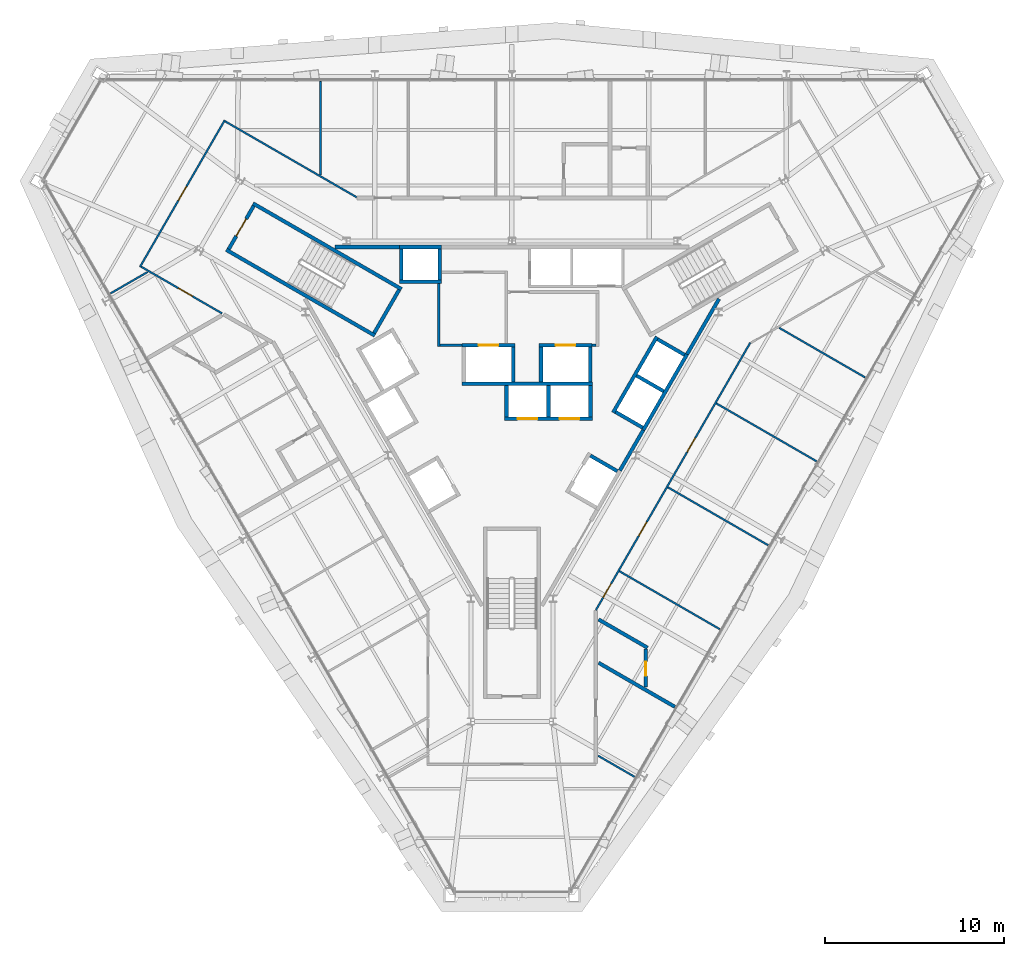
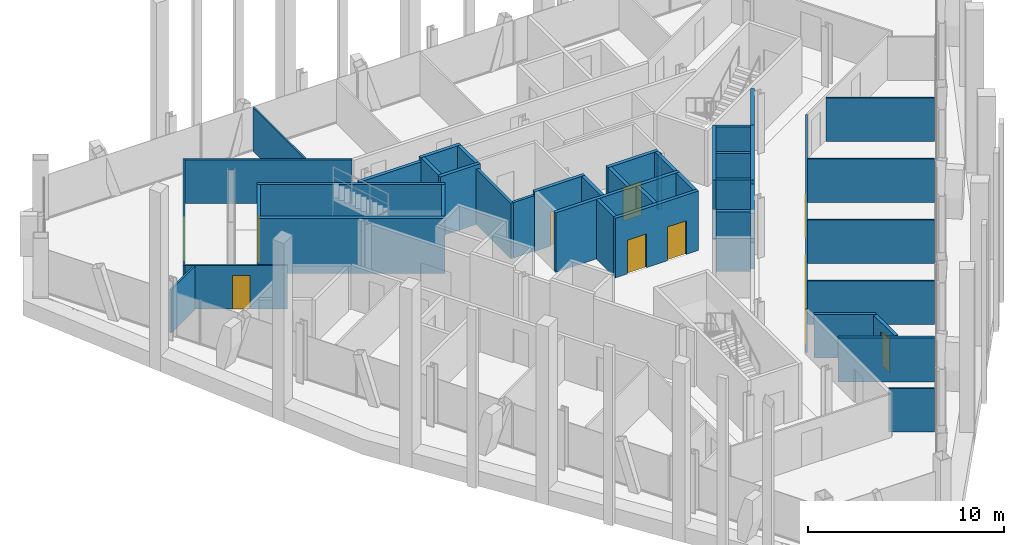
# One storey, part 9 of 13: 44 walls, 11 doors, 11 openings.
"""IFC4 building model written with IfcOpenShell, lengths in metres."""

from ifc_helpers import new_model, si_unit, direction, frame, frame_2d, origin, place, context, subcontext, project, spatial, rectangle, extrude, material, layer, layer_set, type_object, element, fill, save


model = new_model("IFC4")

# Units and contexts
model_context = context("Model", 3, precision=1e-05, world=origin(), true_north=direction((0.0, 1.0)))
body_context = subcontext(model_context, "Body", "Model", "MODEL_VIEW")
ifc_project = project(units=[si_unit("LENGTHUNIT", "METRE"), si_unit("AREAUNIT", "SQUARE_METRE"), si_unit("VOLUMEUNIT", "CUBIC_METRE"), si_unit("PLANEANGLEUNIT", "RADIAN"), si_unit("MASSUNIT", "GRAM", prefix="KILO")], contexts=[model_context])

# Site, building, storey
site_placement = place(None, origin())
site = spatial("IfcSite", under=ifc_project, at=site_placement, CompositionType="ELEMENT")
building_placement = place(site_placement, origin())
building = spatial("IfcBuilding", under=site, at=building_placement, Name="Verrane Prism Tower", CompositionType="ELEMENT")
storey_placement = place(building_placement, frame((0.0, 0.0, 159.89990234375)))
storey = spatial("IfcBuildingStorey", under=building, at=storey_placement, Name="L39", CompositionType="ELEMENT", Elevation=159.89990234375)

# Walls
ifc_material_1 = material(Name="Gypsum board partition", Category="other")
ifc_layer_1 = layer(ifc_material_1, 0.199951171875)
ifc_layer_set_1 = layer_set([ifc_layer_1], Name="CW-200 core boundary wall 2 h")
wall_type_1 = type_object("IfcWallType", Name="CW-200 core boundary wall 2 h", PredefinedType="PARTITIONING", material=ifc_layer_set_1)
wall_1_placement = place(storey_placement, frame((-9.907958984375, 7.659912109375, 0.0), z_axis=(0.0, 0.0, 1.0), x_axis=(1.0, 0.0, 0.0)))
element("IfcWall", 1, at=wall_1_placement, inside=storey, type_object=wall_type_1, Name="Core boundary wall CW3-002", PredefinedType="PARTITIONING", context=body_context, shape_type="SweptSolid", body=[
    extrude(rectangle(XDim=3.620849609375, YDim=0.199951171875, at=frame_2d((1.810546875, 0.0))), origin(), (0.0, 0.0, 1.0), 3.4501953125),
])
wall_2_placement = place(storey_placement, frame((6.0419921875, -4.85498046875, 0.0), z_axis=(0.0, 0.0, 1.0), x_axis=(0.500252727967, 0.865879442048, 0.0)))
element("IfcWall", 2, at=wall_2_placement, inside=storey, type_object=wall_type_1, Name="Core boundary wall CW3-007", PredefinedType="PARTITIONING", context=body_context, shape_type="SweptSolid", body=[
    extrude(rectangle(XDim=2.616943359375, YDim=0.199951171875, at=frame_2d((1.30859375, 0.0))), origin(), (0.0, 0.0, 1.0), 3.4501953125),
])
wall_3_placement = place(storey_placement, frame((9.802978515625, 1.657958984375, 0.0), z_axis=(0.0, 0.0, 1.0), x_axis=(0.499943114462, 0.866058244174, 0.0)))
element("IfcWall", 3, at=wall_3_placement, inside=storey, type_object=wall_type_1, Name="Core boundary wall CW3-008", PredefinedType="PARTITIONING", context=body_context, shape_type="SweptSolid", body=[
    extrude(rectangle(XDim=3.57568359375, YDim=0.199951171875, at=frame_2d((1.787841796875, 0.0))), origin(), (0.0, 0.0, 1.0), 3.4501953125),
])

# Wall, opening, door
ifc_material_2 = material(Name="Concrete C40/50", Category="concrete")
ifc_layer_2 = layer(ifc_material_2, 0.199951171875)
ifc_layer_set_2 = layer_set([ifc_layer_2], Name="CW-200 stair core wall concrete C40/50 3 h")
wall_type_2 = type_object("IfcWallType", Name="CW-200 stair core wall concrete C40/50 3 h", PredefinedType="PARTITIONING", material=ifc_layer_set_2)
wall_4_placement = place(storey_placement, frame((-14.455322265625, 9.96240234375, 0.0), z_axis=(0.0, 0.0, 1.0), x_axis=(-0.500049511043, -0.865996816683, 0.0)))
wall_4 = element("IfcWall", 4, at=wall_4_placement, inside=storey, type_object=wall_type_2, Name="Stair 2 enclosure wall", PredefinedType="PARTITIONING", context=body_context, shape_type="SweptSolid", body=[
    extrude(rectangle(XDim=2.800048828125, YDim=0.199951171875, at=frame_2d((1.39990234375, 0.0))), origin(), (0.0, 0.0, 1.0), 3.4501953125),
])
opening_1_placement = place(wall_4_placement, frame((0.849853515625, 0.0, 0.0)))
opening_1 = element("IfcOpeningElement", 5, at=opening_1_placement, cuts=wall_4, Name="Opening D39501", PredefinedType="OPENING", context=body_context, shape_type="SweptSolid", body=[
    extrude(rectangle(XDim=1.10009765625, YDim=2.10009765625, at=frame_2d((0.550048828125, 1.050048828125))), frame((0.0, 0.10986328125, 0.0), z_axis=(0.0, -1.0, 0.0), x_axis=(1.0, 0.0, 0.0)), (0.0, 0.0, 1.0), 0.219970703125),
])
ifc_material_3 = material(Name="Timber veneered door leaf", Category="wood")
door_type_1 = type_object("IfcDoorType", Name="DR-1100x2100 FD90 single leaf stair", OperationType="NOTDEFINED", PredefinedType="DOOR", material=ifc_material_3)
door_1_placement = place(opening_1_placement, origin())
door_1 = element("IfcDoor", 6, at=door_1_placement, inside=storey, type_object=door_type_1, Name="Stair 2 door", OperationType="SINGLE_SWING_RIGHT", OverallHeight=2.10009765625, OverallWidth=1.10009765625, PredefinedType="DOOR", context=body_context, shape_type="SweptSolid", body=[
    extrude(rectangle(XDim=1.10009765625, YDim=2.10009765625, at=frame_2d((0.550048828125, 1.050048828125))), frame((0.0, 0.02490234375, 0.0), z_axis=(0.0, -1.0, 0.0), x_axis=(1.0, 0.0, 0.0)), (0.0, 0.0, 1.0), 0.050048828125),
])
fill(opening_1, door_1)

# Walls
for number, where, z_axis, x_axis, name in (
    (7, (-7.67822265625, 2.700927734375, 0.0), (0.0, 0.0, 1.0), (-0.866019993635, 0.500009370536, 0.0), "Stair 2 enclosure wall"),
    (8, (-6.17822265625, 5.299072265625, 0.0), (0.0, 0.0, 1.0), (-0.866019993635, 0.500009370536, 0.0), "Stair 2 enclosure wall"),
):
    element("IfcWall", number, at=place(storey_placement, frame(where, z_axis=z_axis, x_axis=x_axis)), inside=storey, type_object=wall_type_2, Name=name, PredefinedType="PARTITIONING", context=body_context, shape_type="SweptSolid", body=[
        extrude(rectangle(XDim=9.599853515625, YDim=0.199951171875, at=frame_2d((4.7998046875, 0.0))), origin(), (0.0, 0.0, 1.0), 3.4501953125),
    ])
wall_5_placement = place(storey_placement, frame((-6.314697265625, 5.262451171875, 0.0), z_axis=(0.0, 0.0, 1.0), x_axis=(-0.500049511043, -0.865996816683, 0.0)))
element("IfcWall", 9, at=wall_5_placement, inside=storey, type_object=wall_type_2, Name="Stair 2 enclosure wall", PredefinedType="PARTITIONING", context=body_context, shape_type="SweptSolid", body=[
    extrude(rectangle(XDim=2.800048828125, YDim=0.199951171875, at=frame_2d((1.39990234375, 0.0))), origin(), (0.0, 0.0, 1.0), 3.4501953125),
])

# Wall, openings, doors
ifc_material_4 = material(Name="Gypsum board shaft wall assembly", Category="other")
ifc_layer_3 = layer(ifc_material_4, 0.199951171875)
ifc_layer_set_3 = layer_set([ifc_layer_3], Name="HW-200 lift shaft wall 2 h")
wall_type_3 = type_object("IfcWallType", Name="HW-200 lift shaft wall 2 h", PredefinedType="PARTITIONING", material=ifc_layer_set_3)
wall_6_placement = place(storey_placement, frame((-0.405029296875, -1.949951171875, 0.0), z_axis=(0.0, 0.0, 1.0), x_axis=(1.0, 0.0, 0.0)))
wall_6 = element("IfcWall", 10, at=wall_6_placement, inside=storey, type_object=wall_type_3, Name="Lift shaft wall", PredefinedType="PARTITIONING", context=body_context, shape_type="SweptSolid", body=[
    extrude(rectangle(XDim=4.900146484375, YDim=0.199951171875, at=frame_2d((2.4501953125, 0.0))), origin(), (0.0, 0.0, 1.0), 3.7001953125),
])
opening_2_placement = place(wall_6_placement, frame((0.72509765625, 0.0, 0.0)))
opening_2 = element("IfcOpeningElement", 11, at=opening_2_placement, cuts=wall_6, Name="Opening D39503", PredefinedType="OPENING", context=body_context, shape_type="SweptSolid", body=[
    extrude(rectangle(XDim=1.10009765625, YDim=2.10009765625, at=frame_2d((0.550048828125, 1.050048828125))), frame((0.0, 0.10986328125, 0.0), z_axis=(0.0, -1.0, 0.0), x_axis=(1.0, 0.0, 0.0)), (0.0, 0.0, 1.0), 0.219970703125),
])
opening_3_placement = place(wall_6_placement, frame((3.074951171875, 0.0, 0.0)))
opening_3 = element("IfcOpeningElement", 12, at=opening_3_placement, cuts=wall_6, Name="Opening D39504", PredefinedType="OPENING", context=body_context, shape_type="SweptSolid", body=[
    extrude(rectangle(XDim=1.10009765625, YDim=2.10009765625, at=frame_2d((0.550048828125, 1.050048828125))), frame((0.0, 0.10986328125, 0.0), z_axis=(0.0, -1.0, 0.0), x_axis=(1.0, 0.0, 0.0)), (0.0, 0.0, 1.0), 0.219970703125),
])
ifc_material_5 = material(Name="Stainless steel sliding landing door", Category="steel")
door_type_2 = type_object("IfcDoorType", Name="LD-1100x2100 lift landing door FD90 sliding", OperationType="NOTDEFINED", PredefinedType="DOOR", material=ifc_material_5)
door_2_placement = place(opening_2_placement, origin())
door_2 = element("IfcDoor", 13, at=door_2_placement, inside=storey, type_object=door_type_2, Name="Bank B lift 1 landing door", OperationType="SLIDING_TO_LEFT", OverallHeight=2.10009765625, OverallWidth=1.10009765625, PredefinedType="DOOR", context=body_context, shape_type="SweptSolid", body=[
    extrude(rectangle(XDim=1.10009765625, YDim=2.10009765625, at=frame_2d((0.550048828125, 1.050048828125))), frame((0.0, 0.02490234375, 0.0), z_axis=(0.0, -1.0, 0.0), x_axis=(1.0, 0.0, 0.0)), (0.0, 0.0, 1.0), 0.050048828125),
])
fill(opening_2, door_2)
door_3_placement = place(opening_3_placement, origin())
door_3 = element("IfcDoor", 14, at=door_3_placement, inside=storey, type_object=door_type_2, Name="Bank B lift 2 landing door", OperationType="SLIDING_TO_RIGHT", OverallHeight=2.10009765625, OverallWidth=1.10009765625, PredefinedType="DOOR", context=body_context, shape_type="SweptSolid", body=[
    extrude(rectangle(XDim=1.10009765625, YDim=2.10009765625, at=frame_2d((0.550048828125, 1.050048828125))), frame((0.0, 0.02490234375, 0.0), z_axis=(0.0, -1.0, 0.0), x_axis=(1.0, 0.0, 0.0)), (0.0, 0.0, 1.0), 0.050048828125),
])
fill(opening_3, door_3)

# Wall
wall_7_placement = place(storey_placement, frame((-2.784912109375, 0.0, 0.0), z_axis=(0.0, 0.0, 1.0), x_axis=(1.0, 0.0, 0.0)))
element("IfcWall", 15, at=wall_7_placement, inside=storey, type_object=wall_type_3, Name="Lift shaft wall", PredefinedType="PARTITIONING", context=body_context, shape_type="SweptSolid", body=[
    extrude(rectangle(XDim=7.280029296875, YDim=0.199951171875, at=frame_2d((3.64013671875, 0.0))), origin(), (0.0, 0.0, 1.0), 3.7001953125),
])

# Wall, opening, door
wall_8_placement = place(storey_placement, frame((-2.784912109375, 2.14990234375, 0.0), z_axis=(0.0, 0.0, 1.0), x_axis=(1.0, 0.0, 0.0)))
wall_8 = element("IfcWall", 16, at=wall_8_placement, inside=storey, type_object=wall_type_3, Name="Lift shaft wall", PredefinedType="PARTITIONING", context=body_context, shape_type="SweptSolid", body=[
    extrude(rectangle(XDim=2.949951171875, YDim=0.199951171875, at=frame_2d((1.47509765625, 0.0))), origin(), (0.0, 0.0, 1.0), 3.7001953125),
])
opening_4_placement = place(wall_8_placement, frame((0.925048828125, 0.0, 0.0)))
opening_4 = element("IfcOpeningElement", 17, at=opening_4_placement, cuts=wall_8, Name="Opening D39507", PredefinedType="OPENING", context=body_context, shape_type="SweptSolid", body=[
    extrude(rectangle(XDim=1.10009765625, YDim=2.10009765625, at=frame_2d((0.550048828125, 1.050048828125))), frame((0.0, 0.10986328125, 0.0), z_axis=(0.0, -1.0, 0.0), x_axis=(1.0, 0.0, 0.0)), (0.0, 0.0, 1.0), 0.219970703125),
])
door_4_placement = place(opening_4_placement, origin())
door_4 = element("IfcDoor", 18, at=door_4_placement, inside=storey, type_object=door_type_2, Name="Fire service lift 1 landing door", OperationType="SLIDING_TO_LEFT", OverallHeight=2.10009765625, OverallWidth=1.10009765625, PredefinedType="DOOR", context=body_context, shape_type="SweptSolid", body=[
    extrude(rectangle(XDim=1.10009765625, YDim=2.10009765625, at=frame_2d((0.550048828125, 1.050048828125))), frame((0.0, 0.02490234375, 0.0), z_axis=(0.0, -1.0, 0.0), x_axis=(1.0, 0.0, 0.0)), (0.0, 0.0, 1.0), 0.050048828125),
])
fill(opening_4, door_4)

wall_9_placement = place(storey_placement, frame((1.52490234375, 2.14990234375, 0.0), z_axis=(0.0, 0.0, 1.0), x_axis=(1.0, 0.0, 0.0)))
wall_9 = element("IfcWall", 19, at=wall_9_placement, inside=storey, type_object=wall_type_3, Name="Lift shaft wall", PredefinedType="PARTITIONING", context=body_context, shape_type="SweptSolid", body=[
    extrude(rectangle(XDim=2.9501953125, YDim=0.199951171875, at=frame_2d((1.47509765625, 0.0))), origin(), (0.0, 0.0, 1.0), 3.7001953125),
])
opening_5_placement = place(wall_9_placement, frame((0.925048828125, 0.0, 0.0)))
opening_5 = element("IfcOpeningElement", 20, at=opening_5_placement, cuts=wall_9, Name="Opening D39508", PredefinedType="OPENING", context=body_context, shape_type="SweptSolid", body=[
    extrude(rectangle(XDim=1.10009765625, YDim=2.10009765625, at=frame_2d((0.550048828125, 1.050048828125))), frame((0.0, 0.10986328125, 0.0), z_axis=(0.0, -1.0, 0.0), x_axis=(1.0, 0.0, 0.0)), (0.0, 0.0, 1.0), 0.219970703125),
])
door_5_placement = place(opening_5_placement, origin())
door_5 = element("IfcDoor", 21, at=door_5_placement, inside=storey, type_object=door_type_2, Name="Fire service lift 2 landing door", OperationType="SLIDING_TO_RIGHT", OverallHeight=2.10009765625, OverallWidth=1.10009765625, PredefinedType="DOOR", context=body_context, shape_type="SweptSolid", body=[
    extrude(rectangle(XDim=1.10009765625, YDim=2.10009765625, at=frame_2d((0.550048828125, 1.050048828125))), frame((0.0, 0.02490234375, 0.0), z_axis=(0.0, -1.0, 0.0), x_axis=(1.0, 0.0, 0.0)), (0.0, 0.0, 1.0), 0.050048828125),
])
fill(opening_5, door_5)

# Walls
for number, where, z_axis, x_axis, name in (
    (22, (-6.284912109375, 5.7099609375, 0.0), (0.0, 0.0, 1.0), (1.0, 0.0, 0.0), "Lift shaft wall"),
    (23, (-6.284912109375, 7.659912109375, 0.0), (0.0, 0.0, 1.0), (1.0, 0.0, 0.0), "Lift shaft wall"),
):
    element("IfcWall", number, at=place(storey_placement, frame(where, z_axis=z_axis, x_axis=x_axis)), inside=storey, type_object=wall_type_3, Name=name, PredefinedType="PARTITIONING", context=body_context, shape_type="SweptSolid", body=[
        extrude(rectangle(XDim=2.349853515625, YDim=0.199951171875, at=frame_2d((1.1748046875, 0.0))), origin(), (0.0, 0.0, 1.0), 3.7001953125),
    ])
wall_10_placement = place(storey_placement, frame((7.351318359375, -2.587158203125, 0.0), z_axis=(0.0, 0.0, 1.0), x_axis=(0.500002801628, 0.866023786258, 0.0)))
element("IfcWall", 24, at=wall_10_placement, inside=storey, type_object=wall_type_3, Name="Lift shaft wall", PredefinedType="PARTITIONING", context=body_context, shape_type="SweptSolid", body=[
    extrude(rectangle(XDim=4.89990234375, YDim=0.199951171875, at=frame_2d((2.449951171875, 0.0))), origin(), (0.0, 0.0, 1.0), 3.7001953125),
])
wall_11_placement = place(storey_placement, frame((5.66259765625, -1.6123046875, 0.0), z_axis=(0.0, 0.0, 1.0), x_axis=(0.49998122708, 0.866036242063, 0.0)))
element("IfcWall", 25, at=wall_11_placement, inside=storey, type_object=wall_type_3, Name="Lift shaft wall", PredefinedType="PARTITIONING", context=body_context, shape_type="SweptSolid", body=[
    extrude(rectangle(XDim=4.900146484375, YDim=0.199951171875, at=frame_2d((2.4501953125, 0.0))), origin(), (0.0, 0.0, 1.0), 3.7001953125),
])
wall_12_placement = place(storey_placement, frame((4.39501953125, -1.85009765625, 0.0), z_axis=(0.0, 0.0, 1.0), x_axis=(0.0, 1.0, 0.0)))
element("IfcWall", 26, at=wall_12_placement, inside=storey, type_object=wall_type_3, Name="Lift shaft wall", PredefinedType="PARTITIONING", context=body_context, shape_type="SweptSolid", body=[
    extrude(rectangle(XDim=1.75, YDim=0.199951171875, at=frame_2d((0.875, 0.0))), origin(), (0.0, 0.0, 1.0), 3.7001953125),
])
wall_13_placement = place(storey_placement, frame((4.375, 0.10009765625, 0.0), z_axis=(0.0, 0.0, 1.0), x_axis=(0.0, 1.0, 0.0)))
element("IfcWall", 27, at=wall_13_placement, inside=storey, type_object=wall_type_3, Name="Lift shaft wall", PredefinedType="PARTITIONING", context=body_context, shape_type="SweptSolid", body=[
    extrude(rectangle(XDim=1.949951171875, YDim=0.199951171875, at=frame_2d((0.97509765625, 0.0))), origin(), (0.0, 0.0, 1.0), 3.7001953125),
])
wall_14_placement = place(storey_placement, frame((2.044921875, -1.85009765625, 0.0), z_axis=(0.0, 0.0, 1.0), x_axis=(0.0, 1.0, 0.0)))
element("IfcWall", 28, at=wall_14_placement, inside=storey, type_object=wall_type_3, Name="Lift shaft wall", PredefinedType="PARTITIONING", context=body_context, shape_type="SweptSolid", body=[
    extrude(rectangle(XDim=1.75, YDim=0.199951171875, at=frame_2d((0.875, 0.0))), origin(), (0.0, 0.0, 1.0), 3.7001953125),
])
for number, where, z_axis, x_axis, name in (
    (29, (1.625, 0.10009765625, 0.0), (0.0, 0.0, 1.0), (0.0, 1.0, 0.0), "Lift shaft wall"),
    (30, (0.06494140625, 0.10009765625, 0.0), (0.0, 0.0, 1.0), (0.0, 1.0, 0.0), "Lift shaft wall"),
):
    element("IfcWall", number, at=place(storey_placement, frame(where, z_axis=z_axis, x_axis=x_axis)), inside=storey, type_object=wall_type_3, Name=name, PredefinedType="PARTITIONING", context=body_context, shape_type="SweptSolid", body=[
        extrude(rectangle(XDim=1.949951171875, YDim=0.199951171875, at=frame_2d((0.97509765625, 0.0))), origin(), (0.0, 0.0, 1.0), 3.7001953125),
    ])
for number, where, z_axis, x_axis, name in (
    (31, (-0.304931640625, -1.85009765625, 0.0), (0.0, 0.0, 1.0), (0.0, 1.0, 0.0), "Lift shaft wall"),
    (32, (-4.034912109375, 5.81005859375, 0.0), (0.0, 0.0, 1.0), (0.0, 1.0, 0.0), "Lift shaft wall"),
    (33, (-6.18505859375, 5.81005859375, 0.0), (0.0, 0.0, 1.0), (0.0, 1.0, 0.0), "Lift shaft wall"),
):
    element("IfcWall", number, at=place(storey_placement, frame(where, z_axis=z_axis, x_axis=x_axis)), inside=storey, type_object=wall_type_3, Name=name, PredefinedType="PARTITIONING", context=body_context, shape_type="SweptSolid", body=[
        extrude(rectangle(XDim=1.75, YDim=0.199951171875, at=frame_2d((0.875, 0.0))), origin(), (0.0, 0.0, 1.0), 3.7001953125),
    ])
wall_15_placement = place(storey_placement, frame((9.66455078125, 1.61962890625, 0.0), z_axis=(0.0, 0.0, 1.0), x_axis=(-0.866002029911, 0.500040482552, 0.0)))
element("IfcWall", 34, at=wall_15_placement, inside=storey, type_object=wall_type_3, Name="Lift shaft wall", PredefinedType="PARTITIONING", context=body_context, shape_type="SweptSolid", body=[
    extrude(rectangle(XDim=1.749755859375, YDim=0.199951171875, at=frame_2d((0.875, 0.0))), origin(), (0.0, 0.0, 1.0), 3.7001953125),
])
for number, where, z_axis, x_axis, name in (
    (35, (8.48974609375, -0.41552734375, 0.0), (0.0, 0.0, 1.0), (-0.866036909293, 0.499980071345, 0.0), "Lift shaft wall"),
    (36, (7.314697265625, -2.45068359375, 0.0), (0.0, 0.0, 1.0), (-0.866036909293, 0.499980071345, 0.0), "Lift shaft wall"),
):
    element("IfcWall", number, at=place(storey_placement, frame(where, z_axis=z_axis, x_axis=x_axis)), inside=storey, type_object=wall_type_3, Name=name, PredefinedType="PARTITIONING", context=body_context, shape_type="SweptSolid", body=[
        extrude(rectangle(XDim=1.75, YDim=0.199951171875, at=frame_2d((0.875, 0.0))), origin(), (0.0, 0.0, 1.0), 3.7001953125),
    ])
wall_16_placement = place(storey_placement, frame((5.904541015625, -4.892822265625, 0.0), z_axis=(0.0, 0.0, 1.0), x_axis=(-0.866002029911, 0.500040482552, 0.0)))
element("IfcWall", 37, at=wall_16_placement, inside=storey, type_object=wall_type_3, Name="Lift shaft wall", PredefinedType="PARTITIONING", context=body_context, shape_type="SweptSolid", body=[
    extrude(rectangle(XDim=1.749755859375, YDim=0.199951171875, at=frame_2d((0.875, 0.0))), origin(), (0.0, 0.0, 1.0), 3.7001953125),
])
ifc_material_6 = material(Name="Gypsum board partition", Category="other")
ifc_layer_4 = layer(ifc_material_6, 0.14990234375)
ifc_layer_set_4 = layer_set([ifc_layer_4], Name="LF-150 firefighting lobby wall 1 h")
wall_type_4 = type_object("IfcWallType", Name="LF-150 firefighting lobby wall 1 h", PredefinedType="PARTITIONING", material=ifc_layer_set_4)
wall_17_placement = place(storey_placement, frame((-4.10009765625, 2.0849609375, 0.0), z_axis=(0.0, 0.0, 1.0), x_axis=(0.0, 1.0, 0.0)))
element("IfcWall", 38, at=wall_17_placement, inside=storey, type_object=wall_type_4, Name="Firefighting lobby wall LF1-001", PredefinedType="PARTITIONING", context=body_context, shape_type="SweptSolid", body=[
    extrude(rectangle(XDim=3.52294921875, YDim=0.14990234375, at=frame_2d((1.761474609375, 0.0))), origin(), (0.0, 0.0, 1.0), 3.4501953125),
])
wall_18_placement = place(storey_placement, frame((-4.02490234375, 2.159912109375, 0.0), z_axis=(0.0, 0.0, 1.0), x_axis=(1.0, 0.0, 0.0)))
element("IfcWall", 39, at=wall_18_placement, inside=storey, type_object=wall_type_4, Name="Firefighting lobby wall LF1-002", PredefinedType="PARTITIONING", context=body_context, shape_type="SweptSolid", body=[
    extrude(rectangle(XDim=1.23779296875, YDim=0.14990234375, at=frame_2d((0.618896484375, 0.0))), origin(), (0.0, 0.0, 1.0), 3.4501953125),
])
wall_19_placement = place(storey_placement, frame((4.47705078125, 2.159912109375, 0.0), z_axis=(0.0, 0.0, 1.0), x_axis=(1.0, 0.0, 0.0)))
element("IfcWall", 40, at=wall_19_placement, inside=storey, type_object=wall_type_4, Name="Firefighting lobby wall LF1-006", PredefinedType="PARTITIONING", context=body_context, shape_type="SweptSolid", body=[
    extrude(rectangle(XDim=0.238037109375, YDim=0.14990234375, at=frame_2d((0.119140625, 0.0))), origin(), (0.0, 0.0, 1.0), 3.4501953125),
])
ifc_material_7 = material(Name="Gypsum board partition", Category="other")
ifc_layer_5 = layer(ifc_material_7, 0.10009765625)
ifc_layer_set_5 = layer_set([ifc_layer_5], Name="PW-100 room partition")
wall_type_5 = type_object("IfcWallType", Name="PW-100 room partition", PredefinedType="PARTITIONING", material=ifc_layer_set_5)
wall_20_placement = place(storey_placement, frame((-22.474853515625, 5.057861328125, 0.0), z_axis=(0.0, 0.0, 1.0), x_axis=(0.865953976614, 0.500123695086, 0.0)))
element("IfcWall", 41, at=wall_20_placement, inside=storey, type_object=wall_type_5, Name="Room partition 001", PredefinedType="PARTITIONING", context=body_context, shape_type="SweptSolid", body=[
    extrude(rectangle(XDim=2.4052734375, YDim=0.10009765625, at=frame_2d((1.20263671875, 0.0))), origin(), (0.0, 0.0, 1.0), 2.713134765625),
])

# Wall, opening, door
wall_21_placement = place(storey_placement, frame((-16.22900390625, 3.944091796875, 0.0), z_axis=(0.0, 0.0, 1.0), x_axis=(-0.866079026679, 0.499907110918, 0.0)))
wall_21 = element("IfcWall", 42, at=wall_21_placement, inside=storey, type_object=wall_type_5, Name="Room partition 002", PredefinedType="PARTITIONING", context=body_context, shape_type="SweptSolid", body=[
    extrude(rectangle(XDim=5.2265625, YDim=0.10009765625, at=frame_2d((2.61328125, 0.0))), origin(), (0.0, 0.0, 1.0), 2.713134765625),
])
opening_6_placement = place(wall_21_placement, frame((1.920654296875, 0.0, 0.0)))
opening_6 = element("IfcOpeningElement", 43, at=opening_6_placement, cuts=wall_21, Name="Opening D39017", PredefinedType="OPENING", context=body_context, shape_type="SweptSolid", body=[
    extrude(rectangle(XDim=0.89990234375, YDim=2.10009765625, at=frame_2d((0.449951171875, 1.050048828125))), frame((0.0, 0.06005859375, 0.0), z_axis=(0.0, -1.0, 0.0), x_axis=(1.0, 0.0, 0.0)), (0.0, 0.0, 1.0), 0.1201171875),
])
ifc_material_8 = material(Name="Timber veneered door leaf", Category="wood")
door_type_3 = type_object("IfcDoorType", Name="DR-900x2100 single leaf unit", OperationType="NOTDEFINED", PredefinedType="DOOR", material=ifc_material_8)
door_6_placement = place(opening_6_placement, origin())
door_6 = element("IfcDoor", 44, at=door_6_placement, inside=storey, type_object=door_type_3, Name="Kitchen door", OperationType="SINGLE_SWING_RIGHT", OverallHeight=2.10009765625, OverallWidth=0.89990234375, PredefinedType="DOOR", context=body_context, shape_type="SweptSolid", body=[
    extrude(rectangle(XDim=0.89990234375, YDim=2.10009765625, at=frame_2d((0.449951171875, 1.050048828125))), frame((0.0, 0.02490234375, 0.0), z_axis=(0.0, -1.0, 0.0), x_axis=(1.0, 0.0, 0.0)), (0.0, 0.0, 1.0), 0.050048828125),
])
fill(opening_6, door_6)

wall_22_placement = place(storey_placement, frame((-20.823974609375, 6.538818359375, 0.0), z_axis=(0.0, 0.0, 1.0), x_axis=(0.500297300687, 0.865853689098, 0.0)))
wall_22 = element("IfcWall", 45, at=wall_22_placement, inside=storey, type_object=wall_type_5, Name="Room partition 003", PredefinedType="PARTITIONING", context=body_context, shape_type="SweptSolid", body=[
    extrude(rectangle(XDim=9.496337890625, YDim=0.10009765625, at=frame_2d((4.748046875, 0.0))), origin(), (0.0, 0.0, 1.0), 2.713134765625),
])
opening_7_placement = place(wall_22_placement, frame((4.300048828125, 0.0, 0.0)))
opening_7 = element("IfcOpeningElement", 46, at=opening_7_placement, cuts=wall_22, Name="Opening D39016", PredefinedType="OPENING", context=body_context, shape_type="SweptSolid", body=[
    extrude(rectangle(XDim=0.89990234375, YDim=2.10009765625, at=frame_2d((0.449951171875, 1.050048828125))), frame((0.0, 0.06005859375, 0.0), z_axis=(0.0, -1.0, 0.0), x_axis=(1.0, 0.0, 0.0)), (0.0, 0.0, 1.0), 0.1201171875),
])
door_7_placement = place(opening_7_placement, origin())
door_7 = element("IfcDoor", 47, at=door_7_placement, inside=storey, type_object=door_type_3, Name="Utility Room door", OperationType="SINGLE_SWING_RIGHT", OverallHeight=2.10009765625, OverallWidth=0.89990234375, PredefinedType="DOOR", context=body_context, shape_type="SweptSolid", body=[
    extrude(rectangle(XDim=0.89990234375, YDim=2.10009765625, at=frame_2d((0.449951171875, 1.050048828125))), frame((0.0, 0.02490234375, 0.0), z_axis=(0.0, -1.0, 0.0), x_axis=(1.0, 0.0, 0.0)), (0.0, 0.0, 1.0), 0.050048828125),
])
fill(opening_7, door_7)

# Walls
wall_23_placement = place(storey_placement, frame((-16.0546875, 14.693115234375, 0.0), z_axis=(0.0, 0.0, 1.0), x_axis=(0.866070360466, -0.499922124658, 0.0)))
element("IfcWall", 48, at=wall_23_placement, inside=storey, type_object=wall_type_5, Name="Room partition 009", PredefinedType="PARTITIONING", context=body_context, shape_type="SweptSolid", body=[
    extrude(rectangle(XDim=8.502685546875, YDim=0.10009765625, at=frame_2d((4.25146484375, 0.0))), origin(), (0.0, 0.0, 1.0), 2.713134765625),
])
wall_24_placement = place(storey_placement, frame((-10.712890625, 11.696533203125, 0.0), z_axis=(0.0, 0.0, 1.0), x_axis=(0.0, 1.0, 0.0)))
element("IfcWall", 49, at=wall_24_placement, inside=storey, type_object=wall_type_5, Name="Room partition 015", PredefinedType="PARTITIONING", context=body_context, shape_type="SweptSolid", body=[
    extrude(rectangle(XDim=5.238525390625, YDim=0.10009765625, at=frame_2d((2.619140625, 0.0))), origin(), (0.0, 0.0, 1.0), 2.713134765625),
])
wall_25_placement = place(storey_placement, frame((4.824951171875, -20.819091796875, 0.0), z_axis=(0.0, 0.0, 1.0), x_axis=(0.865981189106, -0.500076574252, 0.0)))
element("IfcWall", 50, at=wall_25_placement, inside=storey, type_object=wall_type_5, Name="Room partition 029", PredefinedType="PARTITIONING", context=body_context, shape_type="SweptSolid", body=[
    extrude(rectangle(XDim=2.347412109375, YDim=0.10009765625, at=frame_2d((1.173828125, 0.0))), origin(), (0.0, 0.0, 1.0), 2.713134765625),
])

# Wall, openings, doors
wall_26_placement = place(storey_placement, frame((13.342041015625, 2.306396484375, 0.0), z_axis=(0.0, 0.0, 1.0), x_axis=(-0.49997635812, -0.866039053, 0.0)))
wall_26 = element("IfcWall", 51, at=wall_26_placement, inside=storey, type_object=wall_type_5, Name="Room partition 032", PredefinedType="PARTITIONING", context=body_context, shape_type="SweptSolid", body=[
    extrude(rectangle(XDim=17.284912109375, YDim=0.10009765625, at=frame_2d((8.642578125, 0.0))), origin(), (0.0, 0.0, 1.0), 2.713134765625),
])
opening_8_placement = place(wall_26_placement, frame((15.584716796875, 0.0, 0.0)))
opening_8 = element("IfcOpeningElement", 52, at=opening_8_placement, cuts=wall_26, Name="Opening D39002", PredefinedType="OPENING", context=body_context, shape_type="SweptSolid", body=[
    extrude(rectangle(XDim=0.89990234375, YDim=2.10009765625, at=frame_2d((0.449951171875, 1.050048828125))), frame((0.0, 0.06005859375, 0.0), z_axis=(0.0, -1.0, 0.0), x_axis=(1.0, 0.0, 0.0)), (0.0, 0.0, 1.0), 0.1201171875),
])
opening_9_placement = place(wall_26_placement, frame((11.5947265625, 0.0, 0.0)))
opening_9 = element("IfcOpeningElement", 53, at=opening_9_placement, cuts=wall_26, Name="Opening D39004", PredefinedType="OPENING", context=body_context, shape_type="SweptSolid", body=[
    extrude(rectangle(XDim=0.89990234375, YDim=2.10009765625, at=frame_2d((0.449951171875, 1.050048828125))), frame((0.0, 0.06005859375, 0.0), z_axis=(0.0, -1.0, 0.0), x_axis=(1.0, 0.0, 0.0)), (0.0, 0.0, 1.0), 0.1201171875),
])
opening_10_placement = place(wall_26_placement, frame((6.1708984375, 0.0, 0.0)))
opening_10 = element("IfcOpeningElement", 54, at=opening_10_placement, cuts=wall_26, Name="Opening D39005", PredefinedType="OPENING", context=body_context, shape_type="SweptSolid", body=[
    extrude(rectangle(XDim=0.89990234375, YDim=2.10009765625, at=frame_2d((0.449951171875, 1.050048828125))), frame((0.0, 0.06005859375, 0.0), z_axis=(0.0, -1.0, 0.0), x_axis=(1.0, 0.0, 0.0)), (0.0, 0.0, 1.0), 0.1201171875),
])
ifc_material_9 = material(Name="Timber veneered door leaf", Category="wood")
door_type_4 = type_object("IfcDoorType", Name="DR-900x2100 single leaf inner", OperationType="NOTDEFINED", PredefinedType="DOOR", material=ifc_material_9)
door_8_placement = place(opening_8_placement, origin())
door_8 = element("IfcDoor", 55, at=door_8_placement, inside=storey, type_object=door_type_4, Name="Bedroom door", OperationType="SINGLE_SWING_LEFT", OverallHeight=2.10009765625, OverallWidth=0.89990234375, PredefinedType="DOOR", context=body_context, shape_type="SweptSolid", body=[
    extrude(rectangle(XDim=0.89990234375, YDim=2.10009765625, at=frame_2d((0.449951171875, 1.050048828125))), frame((0.0, 0.02490234375, 0.0), z_axis=(0.0, -1.0, 0.0), x_axis=(1.0, 0.0, 0.0)), (0.0, 0.0, 1.0), 0.050048828125),
])
fill(opening_8, door_8)
door_9_placement = place(opening_9_placement, origin())
door_9 = element("IfcDoor", 56, at=door_9_placement, inside=storey, type_object=door_type_3, Name="Study door", OperationType="SINGLE_SWING_LEFT", OverallHeight=2.10009765625, OverallWidth=0.89990234375, PredefinedType="DOOR", context=body_context, shape_type="SweptSolid", body=[
    extrude(rectangle(XDim=0.89990234375, YDim=2.10009765625, at=frame_2d((0.449951171875, 1.050048828125))), frame((0.0, 0.02490234375, 0.0), z_axis=(0.0, -1.0, 0.0), x_axis=(1.0, 0.0, 0.0)), (0.0, 0.0, 1.0), 0.050048828125),
])
fill(opening_9, door_9)
door_10_placement = place(opening_10_placement, origin())
door_10 = element("IfcDoor", 57, at=door_10_placement, inside=storey, type_object=door_type_3, Name="Study door", OperationType="SINGLE_SWING_RIGHT", OverallHeight=2.10009765625, OverallWidth=0.89990234375, PredefinedType="DOOR", context=body_context, shape_type="SweptSolid", body=[
    extrude(rectangle(XDim=0.89990234375, YDim=2.10009765625, at=frame_2d((0.449951171875, 1.050048828125))), frame((0.0, 0.02490234375, 0.0), z_axis=(0.0, -1.0, 0.0), x_axis=(1.0, 0.0, 0.0)), (0.0, 0.0, 1.0), 0.050048828125),
])
fill(opening_10, door_10)

# Walls
wall_27_placement = place(storey_placement, frame((6.01318359375, -10.488037109375, 0.0), z_axis=(0.0, 0.0, 1.0), x_axis=(0.86599118531, -0.500059263454, 0.0)))
element("IfcWall", 58, at=wall_27_placement, inside=storey, type_object=wall_type_5, Name="Room partition 035", PredefinedType="PARTITIONING", context=body_context, shape_type="SweptSolid", body=[
    extrude(rectangle(XDim=6.483642578125, YDim=0.10009765625, at=frame_2d((3.24169921875, 0.0))), origin(), (0.0, 0.0, 1.0), 2.713134765625),
])
wall_28_placement = place(storey_placement, frame((8.725341796875, -5.791015625, 0.0), z_axis=(0.0, 0.0, 1.0), x_axis=(0.865998075994, -0.500047330135, 0.0)))
element("IfcWall", 59, at=wall_28_placement, inside=storey, type_object=wall_type_5, Name="Room partition 039", PredefinedType="PARTITIONING", context=body_context, shape_type="SweptSolid", body=[
    extrude(rectangle(XDim=6.483154296875, YDim=0.10009765625, at=frame_2d((3.24169921875, 0.0))), origin(), (0.0, 0.0, 1.0), 2.713134765625),
])
wall_29_placement = place(storey_placement, frame((11.440673828125, -1.096435546875, 0.0), z_axis=(0.0, 0.0, 1.0), x_axis=(0.866019919364, -0.500009499175, 0.0)))
element("IfcWall", 60, at=wall_29_placement, inside=storey, type_object=wall_type_5, Name="Room partition 041", PredefinedType="PARTITIONING", context=body_context, shape_type="SweptSolid", body=[
    extrude(rectangle(XDim=6.478759765625, YDim=0.10009765625, at=frame_2d((3.2392578125, 0.0))), origin(), (0.0, 0.0, 1.0), 2.713134765625),
])
wall_30_placement = place(storey_placement, frame((14.968017578125, 3.129638671875, 0.0), z_axis=(0.0, 0.0, 1.0), x_axis=(0.866001282423, -0.500041777097, 0.0)))
element("IfcWall", 61, at=wall_30_placement, inside=storey, type_object=wall_type_5, Name="Room partition 043", PredefinedType="PARTITIONING", context=body_context, shape_type="SweptSolid", body=[
    extrude(rectangle(XDim=5.537109375, YDim=0.10009765625, at=frame_2d((2.7685546875, 0.0))), origin(), (0.0, 0.0, 1.0), 2.713134765625),
])
ifc_material_10 = material(Name="Gypsum board partition", Category="other")
ifc_layer_6 = layer(ifc_material_10, 0.199951171875)
ifc_layer_set_6 = layer_set([ifc_layer_6], Name="PW-200 plumbing wall")
wall_type_6 = type_object("IfcWallType", Name="PW-200 plumbing wall", PredefinedType="PARTITIONING", material=ifc_layer_set_6)
wall_31_placement = place(storey_placement, frame((4.85009765625, -15.615478515625, 0.0), z_axis=(0.0, 0.0, 1.0), x_axis=(0.866057699548, -0.499944057923, 0.0)))
element("IfcWall", 62, at=wall_31_placement, inside=storey, type_object=wall_type_6, Name="Plumbing wall 030", PredefinedType="PARTITIONING", context=body_context, shape_type="SweptSolid", body=[
    extrude(rectangle(XDim=4.92724609375, YDim=0.199951171875, at=frame_2d((2.463623046875, 0.0))), origin(), (0.0, 0.0, 1.0), 2.713134765625),
])
wall_32_placement = place(storey_placement, frame((4.85009765625, -13.190673828125, 0.0), z_axis=(0.0, 0.0, 1.0), x_axis=(0.866109679077, -0.499854002494, 0.0)))
element("IfcWall", 63, at=wall_32_placement, inside=storey, type_object=wall_type_6, Name="Plumbing wall 031", PredefinedType="PARTITIONING", context=body_context, shape_type="SweptSolid", body=[
    extrude(rectangle(XDim=3.15966796875, YDim=0.199951171875, at=frame_2d((1.579833984375, 0.0))), origin(), (0.0, 0.0, 1.0), 2.713134765625),
])

# Wall, opening, door
wall_33_placement = place(storey_placement, frame((7.5, -16.971923828125, 0.0), z_axis=(0.0, 0.0, 1.0), x_axis=(0.0, 1.0, 0.0)))
wall_33 = element("IfcWall", 64, at=wall_33_placement, inside=storey, type_object=wall_type_6, Name="Plumbing wall 036", PredefinedType="PARTITIONING", context=body_context, shape_type="SweptSolid", body=[
    extrude(rectangle(XDim=2.116943359375, YDim=0.199951171875, at=frame_2d((1.05859375, 0.0))), origin(), (0.0, 0.0, 1.0), 2.713134765625),
])
opening_11_placement = place(wall_33_placement, frame((0.626708984375, 0.0, 0.0)))
opening_11 = element("IfcOpeningElement", 65, at=opening_11_placement, cuts=wall_33, Name="Opening D39003", PredefinedType="OPENING", context=body_context, shape_type="SweptSolid", body=[
    extrude(rectangle(XDim=0.800048828125, YDim=2.10009765625, at=frame_2d((0.39990234375, 1.050048828125))), frame((0.0, 0.10986328125, 0.0), z_axis=(0.0, -1.0, 0.0), x_axis=(1.0, 0.0, 0.0)), (0.0, 0.0, 1.0), 0.219970703125),
])
ifc_material_11 = material(Name="Timber veneered door leaf", Category="wood")
door_type_5 = type_object("IfcDoorType", Name="DR-800x2100 single leaf bath", OperationType="NOTDEFINED", PredefinedType="DOOR", material=ifc_material_11)
door_11_placement = place(opening_11_placement, origin())
door_11 = element("IfcDoor", 66, at=door_11_placement, inside=storey, type_object=door_type_5, Name="Bathroom door", OperationType="SINGLE_SWING_LEFT", OverallHeight=2.10009765625, OverallWidth=0.800048828125, PredefinedType="DOOR", context=body_context, shape_type="SweptSolid", body=[
    extrude(rectangle(XDim=0.800048828125, YDim=2.10009765625, at=frame_2d((0.39990234375, 1.050048828125))), frame((0.0, 0.02490234375, 0.0), z_axis=(0.0, -1.0, 0.0), x_axis=(1.0, 0.0, 0.0)), (0.0, 0.0, 1.0), 0.050048828125),
])
fill(opening_11, door_11)

save(model, "model.ifc")
